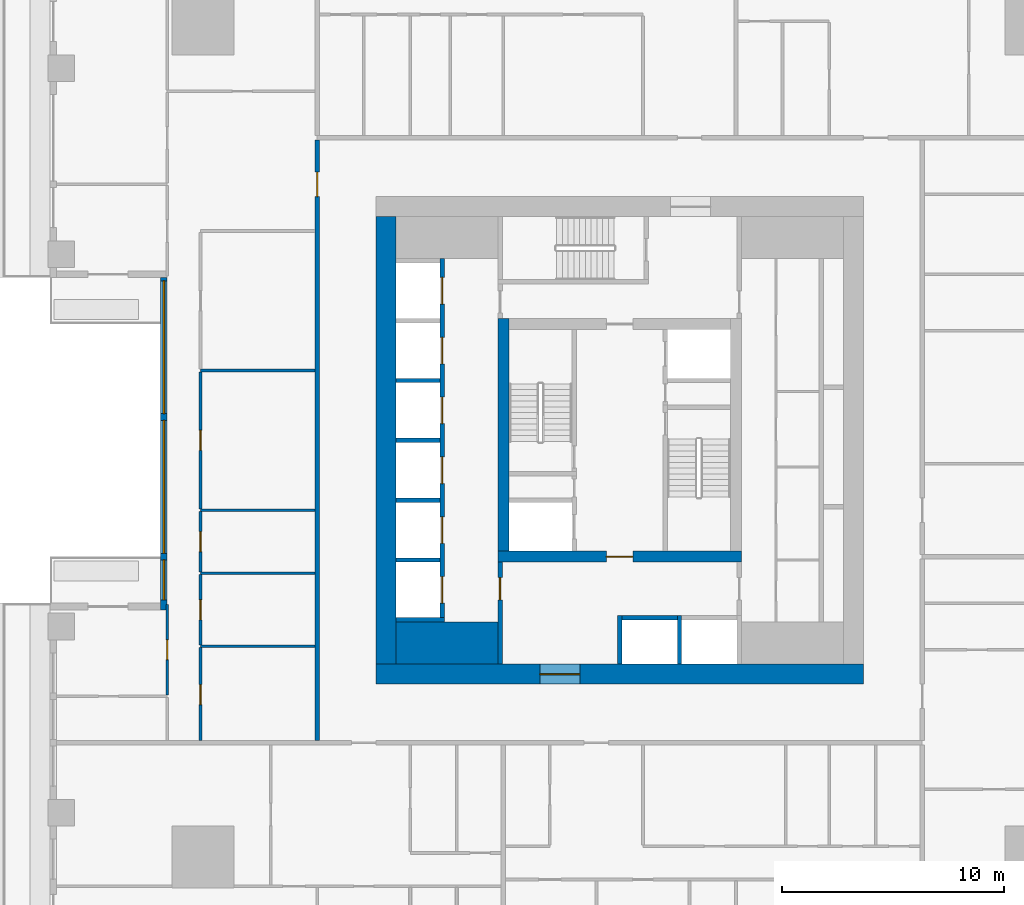
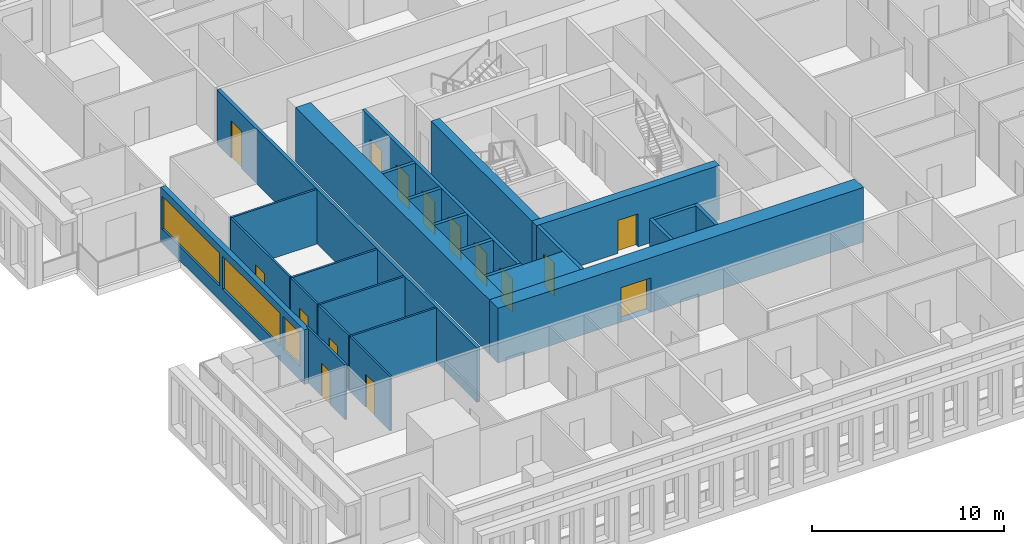
# One storey, part 3 of 15: 26 walls, 15 doors, 3 windows, 18 openings.
"""IFC4 building model written with IfcOpenShell, lengths in metres."""

import ifcopenshell
import ifcopenshell.guid

model = None  # the IFC model being written
_history = None  # IfcOwnerHistory: only IFC2X3 demands one
_inside = {}  # id of a spatial element -> (the spatial element, [elements in it])
_under = {}  # id of a project, library or spatial element -> (it, [spatial elements below it])
_declared = {}  # id of a project -> (the project, [libraries it declares])
_typed = {}  # id of a type object -> (the type object, [elements of that type])
_made_of = {}  # id of a material, layer set ... -> (it, [elements and type objects made of it])


def new_model(schema):
    """Start an empty IFC model of exactly this schema.

    Asked for "IFC4X3", IfcOpenShell would pick the latest addendum, in which some entities
    have other attributes; the version numbers below select the first issue.
    IFC2X3 requires an IfcOwnerHistory on every rooted entity: one is made here for all.
    """
    global model, _history
    if schema == "IFC4X3":
        model = ifcopenshell.file(schema_version=(4, 3, 0, 0))
    else:
        model = ifcopenshell.file(schema=schema)
    _inside.clear()
    _under.clear()
    _declared.clear()
    _typed.clear()
    _made_of.clear()
    _history = None
    if model.schema == "IFC2X3":
        org = make("IfcOrganization", Name="unknown")
        user = make(
            "IfcPersonAndOrganization",
            ThePerson=make("IfcPerson", FamilyName="unknown"),
            TheOrganization=org,
        )
        app = make(
            "IfcApplication",
            ApplicationDeveloper=org,
            Version="unknown",
            ApplicationFullName="unknown",
            ApplicationIdentifier="unknown",
        )
        _history = make(
            "IfcOwnerHistory",
            OwningUser=user,
            OwningApplication=app,
            ChangeAction="ADDED",
            CreationDate=0,
        )
    return model


def make(cls, **values):
    """One entity of the class cls with the attributes given. An attribute that is None is left unset."""
    return model.create_entity(
        cls, **{name: value for name, value in values.items() if value is not None}
    )


def rooted(cls, **values):
    """An entity with a GlobalId (a new one), such as an element, a storey or a relation."""
    return make(cls, GlobalId=ifcopenshell.guid.new(), OwnerHistory=_history, **values)


def si_unit(unit_type, name, prefix=None):
    """IfcSIUnit, for example si_unit("LENGTHUNIT", "METRE", prefix="MILLI")."""
    return make("IfcSIUnit", UnitType=unit_type, Prefix=prefix, Name=name)


def assignment(units):
    """IfcUnitAssignment: the units of a project."""
    return None if units is None else make("IfcUnitAssignment", Units=units)


def point(xyz):
    """IfcCartesianPoint."""
    return None if xyz is None else make("IfcCartesianPoint", Coordinates=xyz)


def direction(xyz):
    """IfcDirection."""
    return None if xyz is None else make("IfcDirection", DirectionRatios=xyz)


def frame(location, z_axis=None, x_axis=None):
    """IfcAxis2Placement3D, a coordinate frame: its origin and axes. An axis left out is left unset."""
    return make(
        "IfcAxis2Placement3D",
        Location=point(location),
        Axis=direction(z_axis),
        RefDirection=direction(x_axis),
    )


def frame_2d(location, x_axis=None):
    """IfcAxis2Placement2D, a coordinate frame in the plane: its origin and x axis."""
    return make(
        "IfcAxis2Placement2D", Location=point(location), RefDirection=direction(x_axis)
    )


def origin():
    """The frame at (0, 0, 0) with its axes left unset."""
    return frame((0.0, 0.0, 0.0))


def place(relative_to, where):
    """IfcLocalPlacement: puts the frame where relative to a parent placement (None: the world)."""
    return make(
        "IfcLocalPlacement", PlacementRelTo=relative_to, RelativePlacement=where
    )


def context(
    kind, dimensions, precision=None, world=None, true_north=None, identifier=None
):
    """IfcGeometricRepresentationContext, for example the 3D "Model" context."""
    return make(
        "IfcGeometricRepresentationContext",
        ContextIdentifier=identifier,
        ContextType=kind,
        CoordinateSpaceDimension=dimensions,
        Precision=precision,
        WorldCoordinateSystem=world,
        TrueNorth=true_north,
    )


def subcontext(parent, identifier, kind, view, scale=None):
    """IfcGeometricRepresentationSubContext, for example "Body" below "Model"."""
    return make(
        "IfcGeometricRepresentationSubContext",
        ContextIdentifier=identifier,
        ContextType=kind,
        ParentContext=parent,
        TargetScale=scale,
        TargetView=view,
    )


def project(units=None, contexts=None):
    """IfcProject with its units and contexts."""
    return rooted(
        "IfcProject",
        Name="project",
        RepresentationContexts=contexts,
        UnitsInContext=assignment(units),
    )


def spatial(cls, under=None, at=None, **own):
    """A site, building, storey or space (cls), placed at a placement, below another one or the project."""
    s = rooted(cls, ObjectPlacement=at, **own)
    if under is not None:
        _under.setdefault(under.id(), (under, []))[1].append(s)
    return s


def profile(cls, at=None, kind="AREA", **sizes):
    """A parametric profile (cls). Its sizes go by their IFC names, for example OverallWidth=200.0."""
    return make(cls, ProfileType=kind, Position=at, **sizes)


def rectangle(**sizes):
    """IfcRectangleProfileDef."""
    return profile("IfcRectangleProfileDef", **sizes)


def extrude(swept, where, along, depth):
    """IfcExtrudedAreaSolid: the profile swept, set in the frame where, extruded along a direction by depth."""
    return make(
        "IfcExtrudedAreaSolid",
        SweptArea=swept,
        Position=where,
        ExtrudedDirection=direction(along),
        Depth=depth,
    )


def shape(context_of_items, identifier, shape_type, items):
    """IfcShapeRepresentation: the items that make up one representation, for example the "Body"."""
    return make(
        "IfcShapeRepresentation",
        ContextOfItems=context_of_items,
        RepresentationIdentifier=identifier,
        RepresentationType=shape_type,
        Items=items,
    )


def material(Name=None, Category=None):
    """IfcMaterial."""
    return make("IfcMaterial", Name=Name, Category=Category)


def layer(
    of_material, thickness, ventilated=None, Name=None, Category=None, Priority=None
):
    """IfcMaterialLayer: one layer of a wall or slab, of a material (None: an air gap)."""
    return make(
        "IfcMaterialLayer",
        Material=of_material,
        LayerThickness=thickness,
        IsVentilated=ventilated,
        Name=Name,
        Category=Category,
        Priority=Priority,
    )


def layer_set(layers, Name=None):
    """IfcMaterialLayerSet."""
    return make("IfcMaterialLayerSet", MaterialLayers=layers, LayerSetName=Name)


def made_of(thing, what):
    """Note that an element or type object is made of a material, layer set ...; save() writes the relation."""
    if what is not None:
        _made_of.setdefault(what.id(), (what, []))[1].append(thing)
    return thing


def type_object(cls, material=None, **own):
    """A type object (cls), such as IfcWallType, which elements share."""
    return made_of(rooted(cls, **own), material)


def element(
    cls,
    number,
    at=None,
    inside=None,
    cuts=None,
    type_object=None,
    material=None,
    context=None,
    identifier="Body",
    shape_type=None,
    held_by="IfcProductDefinitionShape",
    body=None,
    shapes=None,
    **own,
):
    """One element of the class cls, such as IfcWall. Its Tag is "e" and its number.

    at: its placement. inside: the storey or other place that contains it. cuts: it is an
    opening in that element (IfcRelVoidsElement). A single representation is given by context,
    identifier, shape_type and body (its items); several are given by shapes. held_by: the class
    of the entity that holds the representations. save() writes the other relations.
    """
    e = rooted(cls, Tag="e%d" % number, ObjectPlacement=at, **own)
    if body is not None:
        shapes = [shape(context, identifier, shape_type, body)]
    if shapes is not None:
        e.Representation = make(held_by, Representations=shapes)
    if inside is not None:
        _inside.setdefault(inside.id(), (inside, []))[1].append(e)
    if cuts is not None:
        rooted(
            "IfcRelVoidsElement", RelatingBuildingElement=cuts, RelatedOpeningElement=e
        )
    if type_object is not None:
        _typed.setdefault(type_object.id(), (type_object, []))[1].append(e)
    return made_of(e, material)


def fill(opening, filler):
    """IfcRelFillsElement: the door or window that sits in an opening."""
    return rooted(
        "IfcRelFillsElement",
        RelatingOpeningElement=opening,
        RelatedBuildingElement=filler,
    )


def aggregate(whole, parts):
    """IfcRelAggregates: a whole, such as a stair, and the parts it consists of."""
    return rooted("IfcRelAggregates", RelatingObject=whole, RelatedObjects=parts)


def save(model, path):
    """Write the relations noted so far, then the file.

    IfcRelAggregates (storeys below a building ...), IfcRelContainedInSpatialStructure (elements
    in a storey), IfcRelDefinesByType, IfcRelAssociatesMaterial and IfcRelDeclares: one each for
    every whole, place, type object, material and project.
    """
    for whole, parts in _under.values():
        aggregate(whole, parts)
    for where, things in _inside.values():
        rooted(
            "IfcRelContainedInSpatialStructure",
            RelatedElements=things,
            RelatingStructure=where,
        )
    for kind, things in _typed.values():
        rooted("IfcRelDefinesByType", RelatedObjects=things, RelatingType=kind)
    for what, things in _made_of.values():
        rooted("IfcRelAssociatesMaterial", RelatedObjects=things, RelatingMaterial=what)
    for by, libraries in _declared.values():
        rooted("IfcRelDeclares", RelatingContext=by, RelatedDefinitions=libraries)
    model.write(path)


model = new_model("IFC4")

# Units and contexts
model_context = context("Model", 3, precision=1e-05, world=origin(), true_north=direction((0.0, 1.0)))
body_context = subcontext(model_context, "Body", "Model", "MODEL_VIEW")
ifc_project = project(units=[si_unit("LENGTHUNIT", "METRE"), si_unit("AREAUNIT", "SQUARE_METRE"), si_unit("VOLUMEUNIT", "CUBIC_METRE"), si_unit("PLANEANGLEUNIT", "RADIAN"), si_unit("MASSUNIT", "GRAM", prefix="KILO")], contexts=[model_context])

# Site, building, storey
site_placement = place(None, origin())
site = spatial("IfcSite", under=ifc_project, at=site_placement, CompositionType="ELEMENT")
building_placement = place(site_placement, origin())
building = spatial("IfcBuilding", under=site, at=building_placement, Name="Khepri Terraces", CompositionType="ELEMENT")
storey_placement = place(building_placement, frame((0.0, 0.0, 94.800048828125)))
storey = spatial("IfcBuildingStorey", under=building, at=storey_placement, Name="L22", CompositionType="ELEMENT", Elevation=94.800048828125)

# Walls
ifc_material_1 = material(Name="Concrete C70/85", Category="concrete")
ifc_layer_1 = layer(ifc_material_1, 1.89990234375, Name="Concrete C70/85", Category="concrete")
ifc_layer_set_1 = layer_set([ifc_layer_1], Name="Concrete C70/85")
wall_type_1 = type_object("IfcWallType", Name="Core wall 1900 C70/85", PredefinedType="SHEAR", material=ifc_layer_set_1)
wall_1_placement = place(storey_placement, frame((-10.10009765625, -9.14990234375, 0.0), z_axis=(0.0, 0.0, 1.0), x_axis=(1.0, 0.0, 0.0)))
element("IfcWall", 1, at=wall_1_placement, inside=storey, type_object=wall_type_1, Name="Core wall PR01 L22", PredefinedType="SHEAR", context=body_context, shape_type="SweptSolid", body=[
    extrude(rectangle(XDim=4.60009765625, YDim=1.89990234375, at=frame_2d((2.300048828125, 0.0))), origin(), (0.0, 0.0, 1.0), 3.47998046875),
])
ifc_layer_2 = layer(ifc_material_1, 0.199951171875, Name="Concrete C70/85", Category="concrete")
ifc_layer_set_2 = layer_set([ifc_layer_2], Name="Concrete C70/85")
wall_type_2 = type_object("IfcWallType", Name="Core wall 200 C70/85", PredefinedType="SHEAR", material=ifc_layer_set_2)
for number, where, z_axis, x_axis, name in (
    (2, (0.0, -10.10009765625, 0.0), (0.0, 0.0, 1.0), (0.0, 1.0, 0.0), "Core wall SH01 L22"),
    (3, (2.699951171875, -10.10009765625, 0.0), (0.0, 0.0, 1.0), (0.0, 1.0, 0.0), "Core wall SH02 L22"),
    (4, (-10.10009765625, -8.10009765625, 0.0), (0.0, 0.0, 1.0), (1.0, 0.0, 0.0), "Core wall SH04 L22"),
):
    element("IfcWall", number, at=place(storey_placement, frame(where, z_axis=z_axis, x_axis=x_axis)), inside=storey, type_object=wall_type_2, Name=name, PredefinedType="SHEAR", context=body_context, shape_type="SweptSolid", body=[
        extrude(rectangle(XDim=2.2001953125, YDim=0.199951171875, at=frame_2d((1.10009765625, 0.0))), origin(), (0.0, 0.0, 1.0), 3.47998046875),
    ])
wall_2_placement = place(storey_placement, frame((0.10009765625, -8.0, 0.0), z_axis=(0.0, 0.0, 1.0), x_axis=(1.0, 0.0, 0.0)))
element("IfcWall", 5, at=wall_2_placement, inside=storey, type_object=wall_type_2, Name="Core wall SH06 L22", PredefinedType="SHEAR", context=body_context, shape_type="SweptSolid", body=[
    extrude(rectangle(XDim=2.5, YDim=0.199951171875, at=frame_2d((1.25, 0.0))), origin(), (0.0, 0.0, 1.0), 3.47998046875),
])

# Wall, openings, doors
wall_3_placement = place(storey_placement, frame((-8.0, -8.0, 0.0), z_axis=(0.0, 0.0, 1.0), x_axis=(0.0, 1.0, 0.0)))
wall_3 = element("IfcWall", 6, at=wall_3_placement, inside=storey, type_object=wall_type_2, Name="Core wall SH08 L22", PredefinedType="SHEAR", context=body_context, shape_type="SweptSolid", body=[
    extrude(rectangle(XDim=16.199951171875, YDim=0.199951171875, at=frame_2d((8.10009765625, 0.0))), origin(), (0.0, 0.0, 1.0), 3.47998046875),
])
opening_1_placement = place(wall_3_placement, frame((0.64990234375, 0.0, 0.0)))
opening_1 = element("IfcOpeningElement", 7, at=opening_1_placement, cuts=wall_3, Name="Opening L22-C01", PredefinedType="OPENING", context=body_context, shape_type="SweptSolid", body=[
    extrude(rectangle(XDim=1.199951171875, YDim=2.10009765625, at=frame_2d((0.60009765625, 1.050048828125))), frame((0.0, 0.10986328125, 0.0), z_axis=(0.0, -1.0, 0.0), x_axis=(1.0, 0.0, 0.0)), (0.0, 0.0, 1.0), 0.219970703125),
])
opening_2_placement = place(wall_3_placement, frame((3.35009765625, 0.0, 0.0)))
opening_2 = element("IfcOpeningElement", 8, at=opening_2_placement, cuts=wall_3, Name="Opening L22-C02", PredefinedType="OPENING", context=body_context, shape_type="SweptSolid", body=[
    extrude(rectangle(XDim=1.199951171875, YDim=2.10009765625, at=frame_2d((0.60009765625, 1.050048828125))), frame((0.0, 0.10986328125, 0.0), z_axis=(0.0, -1.0, 0.0), x_axis=(1.0, 0.0, 0.0)), (0.0, 0.0, 1.0), 0.219970703125),
])
opening_3_placement = place(wall_3_placement, frame((6.050048828125, 0.0, 0.0)))
opening_3 = element("IfcOpeningElement", 9, at=opening_3_placement, cuts=wall_3, Name="Opening L22-C03", PredefinedType="OPENING", context=body_context, shape_type="SweptSolid", body=[
    extrude(rectangle(XDim=1.199951171875, YDim=2.10009765625, at=frame_2d((0.60009765625, 1.050048828125))), frame((0.0, 0.10986328125, 0.0), z_axis=(0.0, -1.0, 0.0), x_axis=(1.0, 0.0, 0.0)), (0.0, 0.0, 1.0), 0.219970703125),
])
opening_4_placement = place(wall_3_placement, frame((8.75, 0.0, 0.0)))
opening_4 = element("IfcOpeningElement", 10, at=opening_4_placement, cuts=wall_3, Name="Opening L22-C04", PredefinedType="OPENING", context=body_context, shape_type="SweptSolid", body=[
    extrude(rectangle(XDim=1.199951171875, YDim=2.10009765625, at=frame_2d((0.60009765625, 1.050048828125))), frame((0.0, 0.10986328125, 0.0), z_axis=(0.0, -1.0, 0.0), x_axis=(1.0, 0.0, 0.0)), (0.0, 0.0, 1.0), 0.219970703125),
])
opening_5_placement = place(wall_3_placement, frame((11.449951171875, 0.0, 0.0)))
opening_5 = element("IfcOpeningElement", 11, at=opening_5_placement, cuts=wall_3, Name="Opening L22-C05", PredefinedType="OPENING", context=body_context, shape_type="SweptSolid", body=[
    extrude(rectangle(XDim=1.199951171875, YDim=2.10009765625, at=frame_2d((0.60009765625, 1.050048828125))), frame((0.0, 0.10986328125, 0.0), z_axis=(0.0, -1.0, 0.0), x_axis=(1.0, 0.0, 0.0)), (0.0, 0.0, 1.0), 0.219970703125),
])
opening_6_placement = place(wall_3_placement, frame((14.14990234375, 0.0, 0.0)))
opening_6 = element("IfcOpeningElement", 12, at=opening_6_placement, cuts=wall_3, Name="Opening L22-C06", PredefinedType="OPENING", context=body_context, shape_type="SweptSolid", body=[
    extrude(rectangle(XDim=1.199951171875, YDim=2.10009765625, at=frame_2d((0.60009765625, 1.050048828125))), frame((0.0, 0.10986328125, 0.0), z_axis=(0.0, -1.0, 0.0), x_axis=(1.0, 0.0, 0.0)), (0.0, 0.0, 1.0), 0.219970703125),
])
ifc_material_2 = material(Name="Stainless steel 304", Category="steel")
door_type_1 = type_object("IfcDoorType", Name="DR-CORE-LANDING-1200", OperationType="NOTDEFINED", PredefinedType="DOOR", material=ifc_material_2)
door_1_placement = place(opening_1_placement, origin())
door_1 = element("IfcDoor", 13, at=door_1_placement, inside=storey, type_object=door_type_1, Name="Lift landing door L22-C01", OperationType="SLIDING_TO_LEFT", OverallHeight=2.10009765625, OverallWidth=1.199951171875, PredefinedType="DOOR", context=body_context, shape_type="SweptSolid", body=[
    extrude(rectangle(XDim=1.199951171875, YDim=2.10009765625, at=frame_2d((0.60009765625, 1.050048828125))), frame((0.0, 0.02490234375, 0.0), z_axis=(0.0, -1.0, 0.0), x_axis=(1.0, 0.0, 0.0)), (0.0, 0.0, 1.0), 0.050048828125),
])
fill(opening_1, door_1)
door_2_placement = place(opening_2_placement, origin())
door_2 = element("IfcDoor", 14, at=door_2_placement, inside=storey, type_object=door_type_1, Name="Lift landing door L22-C02", OperationType="SLIDING_TO_LEFT", OverallHeight=2.10009765625, OverallWidth=1.199951171875, PredefinedType="DOOR", context=body_context, shape_type="SweptSolid", body=[
    extrude(rectangle(XDim=1.199951171875, YDim=2.10009765625, at=frame_2d((0.60009765625, 1.050048828125))), frame((0.0, 0.02490234375, 0.0), z_axis=(0.0, -1.0, 0.0), x_axis=(1.0, 0.0, 0.0)), (0.0, 0.0, 1.0), 0.050048828125),
])
fill(opening_2, door_2)
door_3_placement = place(opening_3_placement, origin())
door_3 = element("IfcDoor", 15, at=door_3_placement, inside=storey, type_object=door_type_1, Name="Lift landing door L22-C03", OperationType="SLIDING_TO_LEFT", OverallHeight=2.10009765625, OverallWidth=1.199951171875, PredefinedType="DOOR", context=body_context, shape_type="SweptSolid", body=[
    extrude(rectangle(XDim=1.199951171875, YDim=2.10009765625, at=frame_2d((0.60009765625, 1.050048828125))), frame((0.0, 0.02490234375, 0.0), z_axis=(0.0, -1.0, 0.0), x_axis=(1.0, 0.0, 0.0)), (0.0, 0.0, 1.0), 0.050048828125),
])
fill(opening_3, door_3)
door_4_placement = place(opening_4_placement, origin())
door_4 = element("IfcDoor", 16, at=door_4_placement, inside=storey, type_object=door_type_1, Name="Lift landing door L22-C04", OperationType="SLIDING_TO_LEFT", OverallHeight=2.10009765625, OverallWidth=1.199951171875, PredefinedType="DOOR", context=body_context, shape_type="SweptSolid", body=[
    extrude(rectangle(XDim=1.199951171875, YDim=2.10009765625, at=frame_2d((0.60009765625, 1.050048828125))), frame((0.0, 0.02490234375, 0.0), z_axis=(0.0, -1.0, 0.0), x_axis=(1.0, 0.0, 0.0)), (0.0, 0.0, 1.0), 0.050048828125),
])
fill(opening_4, door_4)
door_5_placement = place(opening_5_placement, origin())
door_5 = element("IfcDoor", 17, at=door_5_placement, inside=storey, type_object=door_type_1, Name="Lift landing door L22-C05", OperationType="SLIDING_TO_LEFT", OverallHeight=2.10009765625, OverallWidth=1.199951171875, PredefinedType="DOOR", context=body_context, shape_type="SweptSolid", body=[
    extrude(rectangle(XDim=1.199951171875, YDim=2.10009765625, at=frame_2d((0.60009765625, 1.050048828125))), frame((0.0, 0.02490234375, 0.0), z_axis=(0.0, -1.0, 0.0), x_axis=(1.0, 0.0, 0.0)), (0.0, 0.0, 1.0), 0.050048828125),
])
fill(opening_5, door_5)
door_6_placement = place(opening_6_placement, origin())
door_6 = element("IfcDoor", 18, at=door_6_placement, inside=storey, type_object=door_type_1, Name="Lift landing door L22-C06", OperationType="SLIDING_TO_LEFT", OverallHeight=2.10009765625, OverallWidth=1.199951171875, PredefinedType="DOOR", context=body_context, shape_type="SweptSolid", body=[
    extrude(rectangle(XDim=1.199951171875, YDim=2.10009765625, at=frame_2d((0.60009765625, 1.050048828125))), frame((0.0, 0.02490234375, 0.0), z_axis=(0.0, -1.0, 0.0), x_axis=(1.0, 0.0, 0.0)), (0.0, 0.0, 1.0), 0.050048828125),
])
fill(opening_6, door_6)

# Walls
for number, where, z_axis, x_axis, name in (
    (19, (-10.10009765625, -5.39990234375, 0.0), (0.0, 0.0, 1.0), (1.0, 0.0, 0.0), "Core wall SH09 L22"),
    (20, (-10.10009765625, -2.699951171875, 0.0), (0.0, 0.0, 1.0), (1.0, 0.0, 0.0), "Core wall SH12 L22"),
    (21, (-10.10009765625, 0.0, 0.0), (0.0, 0.0, 1.0), (1.0, 0.0, 0.0), "Core wall SH14 L22"),
    (22, (-10.10009765625, 2.699951171875, 0.0), (0.0, 0.0, 1.0), (1.0, 0.0, 0.0), "Core wall SH17 L22"),
):
    element("IfcWall", number, at=place(storey_placement, frame(where, z_axis=z_axis, x_axis=x_axis)), inside=storey, type_object=wall_type_2, Name=name, PredefinedType="SHEAR", context=body_context, shape_type="SweptSolid", body=[
        extrude(rectangle(XDim=2.0, YDim=0.199951171875, at=frame_2d((1.0, 0.0))), origin(), (0.0, 0.0, 1.0), 3.47998046875),
    ])

# Wall, opening, door
ifc_layer_3 = layer(ifc_material_1, 0.5, Name="Concrete C70/85", Category="concrete")
ifc_layer_set_3 = layer_set([ifc_layer_3], Name="Concrete C70/85")
wall_type_3 = type_object("IfcWallType", Name="Core wall 500 C70/85", PredefinedType="SHEAR", material=ifc_layer_set_3)
wall_4_placement = place(storey_placement, frame((-5.5, -5.25, 0.0), z_axis=(0.0, 0.0, 1.0), x_axis=(1.0, 0.0, 0.0)))
wall_4 = element("IfcWall", 23, at=wall_4_placement, inside=storey, type_object=wall_type_3, Name="Core wall BX01 L22", PredefinedType="SHEAR", context=body_context, shape_type="SweptSolid", body=[
    extrude(rectangle(XDim=11.0, YDim=0.5, at=frame_2d((5.5, 0.0))), origin(), (0.0, 0.0, 1.0), 3.47998046875),
])
opening_7_placement = place(wall_4_placement, frame((4.89990234375, 0.0, 0.0)))
opening_7 = element("IfcOpeningElement", 24, at=opening_7_placement, cuts=wall_4, Name="Opening L22-C14", PredefinedType="OPENING", context=body_context, shape_type="SweptSolid", body=[
    extrude(rectangle(XDim=1.199951171875, YDim=2.10009765625, at=frame_2d((0.60009765625, 1.050048828125))), frame((0.0, 0.260009765625, 0.0), z_axis=(0.0, -1.0, 0.0), x_axis=(1.0, 0.0, 0.0)), (0.0, 0.0, 1.0), 0.52001953125),
])
ifc_material_3 = material(Name="Painted steel", Category="steel")
door_type_2 = type_object("IfcDoorType", Name="DR-CORE-FF-LOBBY-1200", OperationType="NOTDEFINED", PredefinedType="DOOR", material=ifc_material_3)
door_7_placement = place(opening_7_placement, origin())
door_7 = element("IfcDoor", 25, at=door_7_placement, inside=storey, type_object=door_type_2, Name="Firefighting lobby door L22-C14", OperationType="SINGLE_SWING_RIGHT", OverallHeight=2.10009765625, OverallWidth=1.199951171875, PredefinedType="DOOR", context=body_context, shape_type="SweptSolid", body=[
    extrude(rectangle(XDim=1.199951171875, YDim=2.10009765625, at=frame_2d((0.60009765625, 1.050048828125))), frame((0.0, 0.02490234375, 0.0), z_axis=(0.0, -1.0, 0.0), x_axis=(1.0, 0.0, 0.0)), (0.0, 0.0, 1.0), 0.050048828125),
])
fill(opening_7, door_7)

# Wall
wall_5_placement = place(storey_placement, frame((-5.25, -5.0, 0.0), z_axis=(0.0, 0.0, 1.0), x_axis=(0.0, 1.0, 0.0)))
element("IfcWall", 26, at=wall_5_placement, inside=storey, type_object=wall_type_3, Name="Core wall BX02 L22", PredefinedType="SHEAR", context=body_context, shape_type="SweptSolid", body=[
    extrude(rectangle(XDim=10.5, YDim=0.5, at=frame_2d((5.25, 0.0))), origin(), (0.0, 0.0, 1.0), 3.47998046875),
])

# Wall, opening, door
ifc_layer_4 = layer(ifc_material_1, 0.89990234375, Name="Concrete C70/85", Category="concrete")
ifc_layer_set_4 = layer_set([ifc_layer_4], Name="Concrete C70/85")
wall_type_4 = type_object("IfcWallType", Name="Core wall 900 C70/85", PredefinedType="SHEAR", material=ifc_layer_set_4)
wall_6_placement = place(storey_placement, frame((-11.0, -10.550048828125, 0.0), z_axis=(0.0, 0.0, 1.0), x_axis=(1.0, 0.0, 0.0)))
wall_6 = element("IfcWall", 27, at=wall_6_placement, inside=storey, type_object=wall_type_4, Name="Core wall OW-S L22", PredefinedType="SHEAR", context=body_context, shape_type="SweptSolid", body=[
    extrude(rectangle(XDim=22.0, YDim=0.89990234375, at=frame_2d((11.0, 0.0))), origin(), (0.0, 0.0, 1.0), 3.47998046875),
])
opening_8_placement = place(wall_6_placement, frame((7.39990234375, 0.0, 0.0)))
opening_8 = element("IfcOpeningElement", 28, at=opening_8_placement, cuts=wall_6, Name="Opening L22-C21", PredefinedType="OPENING", context=body_context, shape_type="SweptSolid", body=[
    extrude(rectangle(XDim=1.800048828125, YDim=2.199951171875, at=frame_2d((0.89990234375, 1.10009765625))), frame((0.0, 0.4599609375, 0.0), z_axis=(0.0, -1.0, 0.0), x_axis=(1.0, 0.0, 0.0)), (0.0, 0.0, 1.0), 0.919921875),
])
door_type_3 = type_object("IfcDoorType", Name="DR-CORE-ENTRANCE-1800", OperationType="NOTDEFINED", PredefinedType="DOOR", material=ifc_material_3)
door_8_placement = place(opening_8_placement, frame((1.800048828125, 0.0, 0.0), z_axis=(0.0, 0.0, 1.0), x_axis=(-1.0, 0.0, 0.0)))
door_8 = element("IfcDoor", 29, at=door_8_placement, inside=storey, type_object=door_type_3, Name="Core entrance door pair L22-C21", OperationType="DOUBLE_DOOR_SINGLE_SWING", OverallHeight=2.199951171875, OverallWidth=1.800048828125, PredefinedType="DOOR", context=body_context, shape_type="SweptSolid", body=[
    extrude(rectangle(XDim=1.800048828125, YDim=2.199951171875, at=frame_2d((0.89990234375, 1.10009765625))), frame((0.0, 0.02490234375, 0.0), z_axis=(0.0, -1.0, 0.0), x_axis=(1.0, 0.0, 0.0)), (0.0, 0.0, 1.0), 0.050048828125),
])
fill(opening_8, door_8)

# Wall
wall_7_placement = place(storey_placement, frame((-10.550048828125, -10.10009765625, 0.0), z_axis=(0.0, 0.0, 1.0), x_axis=(0.0, 1.0, 0.0)))
element("IfcWall", 30, at=wall_7_placement, inside=storey, type_object=wall_type_4, Name="Core wall OW-W L22", PredefinedType="SHEAR", context=body_context, shape_type="SweptSolid", body=[
    extrude(rectangle(XDim=20.2001953125, YDim=0.89990234375, at=frame_2d((10.10009765625, 0.0))), origin(), (0.0, 0.0, 1.0), 3.47998046875),
])

# Wall, opening, door
ifc_material_4 = material(Name="Fire-rated gypsum board partition")
ifc_layer_5 = layer(ifc_material_4, 0.199951171875, Name="Fire-rated gypsum board partition")
ifc_layer_set_5 = layer_set([ifc_layer_5], Name="Fire-rated gypsum board partition")
wall_type_5 = type_object("IfcWallType", Name="WL-CORE-PART-200", PredefinedType="PARTITIONING", material=ifc_layer_set_5)
wall_8_placement = place(storey_placement, frame((-5.39990234375, -10.10009765625, 0.0), z_axis=(0.0, 0.0, 1.0), x_axis=(0.0, 1.0, 0.0)))
wall_8 = element("IfcWall", 31, at=wall_8_placement, inside=storey, type_object=wall_type_5, Name="Core partition PT01 L22", PredefinedType="PARTITIONING", context=body_context, shape_type="SweptSolid", body=[
    extrude(rectangle(XDim=4.60009765625, YDim=0.199951171875, at=frame_2d((2.300048828125, 0.0))), origin(), (0.0, 0.0, 1.0), 3.47998046875),
])
opening_9_placement = place(wall_8_placement, frame((2.89990234375, 0.0, 0.0)))
opening_9 = element("IfcOpeningElement", 32, at=opening_9_placement, cuts=wall_8, Name="Opening L22-C18", PredefinedType="OPENING", context=body_context, shape_type="SweptSolid", body=[
    extrude(rectangle(XDim=1.0, YDim=2.10009765625, at=frame_2d((0.5, 1.050048828125))), frame((0.0, 0.10986328125, 0.0), z_axis=(0.0, -1.0, 0.0), x_axis=(1.0, 0.0, 0.0)), (0.0, 0.0, 1.0), 0.219970703125),
])
door_type_4 = type_object("IfcDoorType", Name="DR-CORE-LOBBY-1000", OperationType="NOTDEFINED", PredefinedType="DOOR", material=ifc_material_3)
door_9_placement = place(opening_9_placement, frame((1.0, 0.0, 0.0), z_axis=(0.0, 0.0, 1.0), x_axis=(-1.0, 0.0, 0.0)))
door_9 = element("IfcDoor", 33, at=door_9_placement, inside=storey, type_object=door_type_4, Name="Lobby door L22-C18", OperationType="SINGLE_SWING_LEFT", OverallHeight=2.10009765625, OverallWidth=1.0, PredefinedType="DOOR", context=body_context, shape_type="SweptSolid", body=[
    extrude(rectangle(XDim=1.0, YDim=2.10009765625, at=frame_2d((0.5, 1.050048828125))), frame((0.0, 0.02490234375, 0.0), z_axis=(0.0, -1.0, 0.0), x_axis=(1.0, 0.0, 0.0)), (0.0, 0.0, 1.0), 0.050048828125),
])
fill(opening_9, door_9)

ifc_material_5 = material(Name="Fire-rated gypsum plasterboard partition, mineral wool")
ifc_layer_6 = layer(ifc_material_5, 0.199951171875, Name="Fire-rated gypsum plasterboard partition, mineral wool")
ifc_layer_set_6 = layer_set([ifc_layer_6], Name="Fire-rated gypsum plasterboard partition, mineral wool")
wall_type_6 = type_object("IfcWallType", Name="WL-CORR-200", PredefinedType="PARTITIONING", material=ifc_layer_set_6)
wall_9_placement = place(storey_placement, frame((-13.64990234375, -13.550048828125, 0.0), z_axis=(0.0, 0.0, 1.0), x_axis=(0.0, 1.0, 0.0)))
wall_9 = element("IfcWall", 34, at=wall_9_placement, inside=storey, type_object=wall_type_6, Name="Partition P-034 L22", PredefinedType="PARTITIONING", context=body_context, shape_type="SweptSolid", body=[
    extrude(rectangle(XDim=27.10009765625, YDim=0.199951171875, at=frame_2d((13.550048828125, 0.0))), origin(), (0.0, 0.0, 1.0), 3.47998046875),
])
opening_10_placement = place(wall_9_placement, frame((24.550048828125, 0.0, 0.0)))
opening_10 = element("IfcOpeningElement", 35, at=opening_10_placement, cuts=wall_9, Name="Opening D1", PredefinedType="OPENING", context=body_context, shape_type="SweptSolid", body=[
    extrude(rectangle(XDim=1.10009765625, YDim=2.39990234375, at=frame_2d((0.550048828125, 1.199951171875))), frame((0.0, 0.10986328125, 0.0), z_axis=(0.0, -1.0, 0.0), x_axis=(1.0, 0.0, 0.0)), (0.0, 0.0, 1.0), 0.219970703125),
])
ifc_material_6 = material(Name="Solid-core timber door leaf, flat entrance door", Category="wood")
door_type_5 = type_object("IfcDoorType", Name="DR-ENT-1100", OperationType="NOTDEFINED", PredefinedType="DOOR", material=ifc_material_6)
door_10_placement = place(opening_10_placement, origin())
door_10 = element("IfcDoor", 36, at=door_10_placement, inside=storey, type_object=door_type_5, Name="Flat D1 entrance door", OperationType="SINGLE_SWING_RIGHT", OverallHeight=2.39990234375, OverallWidth=1.10009765625, PredefinedType="DOOR", context=body_context, shape_type="SweptSolid", body=[
    extrude(rectangle(XDim=1.10009765625, YDim=2.39990234375, at=frame_2d((0.550048828125, 1.199951171875))), frame((0.0, 0.02490234375, 0.0), z_axis=(0.0, -1.0, 0.0), x_axis=(1.0, 0.0, 0.0)), (0.0, 0.0, 1.0), 0.050048828125),
])
fill(opening_10, door_10)

# Wall, openings, windows
ifc_material_7 = material(Name="Precast concrete C50/60 warm stone", Category="masonry")
ifc_layer_7 = layer(ifc_material_7, 0.300048828125, Name="Precast concrete C50/60 warm stone", Category="masonry")
ifc_layer_set_7 = layer_set([ifc_layer_7], Name="Precast concrete C50/60 warm stone")
wall_type_7 = type_object("IfcWallType", Name="WL-EXT-PRECAST-300", PredefinedType="STANDARD", material=ifc_layer_set_7)
wall_10_placement = place(storey_placement, frame((-20.570068359375, 7.35009765625, 0.0), z_axis=(0.0, 0.0, 1.0), x_axis=(0.0, -1.0, 0.0)))
wall_10 = element("IfcWall", 37, at=wall_10_placement, inside=storey, type_object=wall_type_7, Name="External wall L22 W", PredefinedType="STANDARD", context=body_context, shape_type="SweptSolid", body=[
    extrude(rectangle(XDim=15.0, YDim=0.300048828125, at=frame_2d((7.5, 0.0))), origin(), (0.0, 0.0, 1.0), 3.47998046875),
])
opening_11_placement = place(wall_10_placement, frame((0.14990234375, 0.0, 0.89990234375)))
opening_11 = element("IfcOpeningElement", 38, at=opening_11_placement, cuts=wall_10, Name="Opening W3", PredefinedType="OPENING", context=body_context, shape_type="SweptSolid", body=[
    extrude(rectangle(XDim=6.0, YDim=2.10009765625, at=frame_2d((3.0, 1.050048828125))), frame((0.0, 0.16015625, 0.0), z_axis=(0.0, -1.0, 0.0), x_axis=(1.0, 0.0, 0.0)), (0.0, 0.0, 1.0), 0.320068359375),
])
opening_12_placement = place(wall_10_placement, frame((6.449951171875, 0.0, 0.89990234375)))
opening_12 = element("IfcOpeningElement", 39, at=opening_12_placement, cuts=wall_10, Name="Opening W3", PredefinedType="OPENING", context=body_context, shape_type="SweptSolid", body=[
    extrude(rectangle(XDim=6.0, YDim=2.10009765625, at=frame_2d((3.0, 1.050048828125))), frame((0.0, 0.16015625, 0.0), z_axis=(0.0, -1.0, 0.0), x_axis=(1.0, 0.0, 0.0)), (0.0, 0.0, 1.0), 0.320068359375),
])
opening_13_placement = place(wall_10_placement, frame((12.75, 0.0, 0.89990234375)))
opening_13 = element("IfcOpeningElement", 40, at=opening_13_placement, cuts=wall_10, Name="Opening W1", PredefinedType="OPENING", context=body_context, shape_type="SweptSolid", body=[
    extrude(rectangle(XDim=1.800048828125, YDim=2.10009765625, at=frame_2d((0.89990234375, 1.050048828125))), frame((0.0, 0.16015625, 0.0), z_axis=(0.0, -1.0, 0.0), x_axis=(1.0, 0.0, 0.0)), (0.0, 0.0, 1.0), 0.320068359375),
])
ifc_material_8 = material(Name="Clear glass", Category="glass")
window_type_1 = type_object("IfcWindowType", Name="WIN-RES-1800x2100", PartitioningType="SINGLE_PANEL", PredefinedType="WINDOW", material=ifc_material_8)
window_1_placement = place(opening_13_placement, origin())
window_1 = element("IfcWindow", 41, at=window_1_placement, inside=storey, type_object=window_type_1, Name="Window L22 W", OverallHeight=2.10009765625, OverallWidth=1.800048828125, PartitioningType="SINGLE_PANEL", PredefinedType="WINDOW", context=body_context, shape_type="SweptSolid", body=[
    extrude(rectangle(XDim=1.800048828125, YDim=2.10009765625, at=frame_2d((0.89990234375, 1.050048828125))), frame((0.0, 0.030029296875, 0.0), z_axis=(0.0, -1.0, 0.0), x_axis=(1.0, 0.0, 0.0)), (0.0, 0.0, 1.0), 0.06005859375),
])
fill(opening_13, window_1)
window_type_2 = type_object("IfcWindowType", Name="WIN-RES-6000x2100", PartitioningType="SINGLE_PANEL", PredefinedType="WINDOW", material=ifc_material_8)
window_2_placement = place(opening_11_placement, origin())
window_2 = element("IfcWindow", 42, at=window_2_placement, inside=storey, type_object=window_type_2, Name="Window L22 W", OverallHeight=2.10009765625, OverallWidth=6.0, PartitioningType="SINGLE_PANEL", PredefinedType="WINDOW", context=body_context, shape_type="SweptSolid", body=[
    extrude(rectangle(XDim=6.0, YDim=2.10009765625, at=frame_2d((3.0, 1.050048828125))), frame((0.0, 0.030029296875, 0.0), z_axis=(0.0, -1.0, 0.0), x_axis=(1.0, 0.0, 0.0)), (0.0, 0.0, 1.0), 0.06005859375),
])
fill(opening_11, window_2)
window_3_placement = place(opening_12_placement, origin())
window_3 = element("IfcWindow", 43, at=window_3_placement, inside=storey, type_object=window_type_2, Name="Window L22 W", OverallHeight=2.10009765625, OverallWidth=6.0, PartitioningType="SINGLE_PANEL", PredefinedType="WINDOW", context=body_context, shape_type="SweptSolid", body=[
    extrude(rectangle(XDim=6.0, YDim=2.10009765625, at=frame_2d((3.0, 1.050048828125))), frame((0.0, 0.030029296875, 0.0), z_axis=(0.0, -1.0, 0.0), x_axis=(1.0, 0.0, 0.0)), (0.0, 0.0, 1.0), 0.06005859375),
])
fill(opening_12, window_3)

# Wall, opening, door
ifc_material_9 = material(Name="Gypsum plasterboard partition")
ifc_layer_8 = layer(ifc_material_9, 0.1201171875, Name="Gypsum plasterboard partition")
ifc_layer_set_8 = layer_set([ifc_layer_8], Name="Gypsum plasterboard partition")
wall_type_8 = type_object("IfcWallType", Name="WL-PART-120", PredefinedType="PARTITIONING", material=ifc_layer_set_8)
wall_11_placement = place(storey_placement, frame((-18.919921875, -13.550048828125, 0.0), z_axis=(0.0, 0.0, 1.0), x_axis=(0.0, 1.0, 0.0)))
wall_11 = element("IfcWall", 44, at=wall_11_placement, inside=storey, type_object=wall_type_8, Name="Partition P-033 L22", PredefinedType="PARTITIONING", context=body_context, shape_type="SweptSolid", body=[
    extrude(rectangle(XDim=4.18994140625, YDim=0.1201171875, at=frame_2d((2.094970703125, 0.0))), origin(), (0.0, 0.0, 1.0), 3.47998046875),
])
opening_14_placement = place(wall_11_placement, frame((1.625, 0.0, 0.0)))
opening_14 = element("IfcOpeningElement", 45, at=opening_14_placement, cuts=wall_11, Name="Opening D3", PredefinedType="OPENING", context=body_context, shape_type="SweptSolid", body=[
    extrude(rectangle(XDim=0.89990234375, YDim=2.10009765625, at=frame_2d((0.449951171875, 1.050048828125))), frame((0.0, 0.070068359375, 0.0), z_axis=(0.0, -1.0, 0.0), x_axis=(1.0, 0.0, 0.0)), (0.0, 0.0, 1.0), 0.14013671875),
])
ifc_material_10 = material(Name="Timber door leaf", Category="wood")
door_type_6 = type_object("IfcDoorType", Name="DR-INT-900", OperationType="NOTDEFINED", PredefinedType="DOOR", material=ifc_material_10)
door_11_placement = place(opening_14_placement, frame((0.89990234375, 0.0, 0.0), z_axis=(0.0, 0.0, 1.0), x_axis=(-1.0, 0.0, 0.0)))
door_11 = element("IfcDoor", 46, at=door_11_placement, inside=storey, type_object=door_type_6, Name="Door Library", OperationType="SINGLE_SWING_RIGHT", OverallHeight=2.10009765625, OverallWidth=0.89990234375, PredefinedType="DOOR", context=body_context, shape_type="SweptSolid", body=[
    extrude(rectangle(XDim=0.89990234375, YDim=2.10009765625, at=frame_2d((0.449951171875, 1.050048828125))), frame((0.0, 0.02490234375, 0.0), z_axis=(0.0, -1.0, 0.0), x_axis=(1.0, 0.0, 0.0)), (0.0, 0.0, 1.0), 0.050048828125),
])
fill(opening_14, door_11)

wall_12_placement = place(storey_placement, frame((-20.419921875, -11.489990234375, 0.0), z_axis=(0.0, 0.0, 1.0), x_axis=(0.0, 1.0, 0.0)))
wall_12 = element("IfcWall", 47, at=wall_12_placement, inside=storey, type_object=wall_type_8, Name="Partition P-037 L22", PredefinedType="PARTITIONING", context=body_context, shape_type="SweptSolid", body=[
    extrude(rectangle(XDim=4.080078125, YDim=0.1201171875, at=frame_2d((2.0400390625, 0.0))), origin(), (0.0, 0.0, 1.0), 3.47998046875),
])
opening_15_placement = place(wall_12_placement, frame((1.590087890625, 0.0, 0.0)))
opening_15 = element("IfcOpeningElement", 48, at=opening_15_placement, cuts=wall_12, Name="Opening D3", PredefinedType="OPENING", context=body_context, shape_type="SweptSolid", body=[
    extrude(rectangle(XDim=0.89990234375, YDim=2.10009765625, at=frame_2d((0.449951171875, 1.050048828125))), frame((0.0, 0.070068359375, 0.0), z_axis=(0.0, -1.0, 0.0), x_axis=(1.0, 0.0, 0.0)), (0.0, 0.0, 1.0), 0.14013671875),
])
door_12_placement = place(opening_15_placement, origin())
door_12 = element("IfcDoor", 49, at=door_12_placement, inside=storey, type_object=door_type_6, Name="Door Bedroom", OperationType="SINGLE_SWING_RIGHT", OverallHeight=2.10009765625, OverallWidth=0.89990234375, PredefinedType="DOOR", context=body_context, shape_type="SweptSolid", body=[
    extrude(rectangle(XDim=0.89990234375, YDim=2.10009765625, at=frame_2d((0.449951171875, 1.050048828125))), frame((0.0, 0.02490234375, 0.0), z_axis=(0.0, -1.0, 0.0), x_axis=(1.0, 0.0, 0.0)), (0.0, 0.0, 1.0), 0.050048828125),
])
fill(opening_15, door_12)

# Wall
wall_13_placement = place(storey_placement, frame((-18.919921875, -9.300048828125, 0.0), z_axis=(0.0, 0.0, 1.0), x_axis=(1.0, 0.0, 0.0)))
element("IfcWall", 50, at=wall_13_placement, inside=storey, type_object=wall_type_8, Name="Partition P-042 L22", PredefinedType="PARTITIONING", context=body_context, shape_type="SweptSolid", body=[
    extrude(rectangle(XDim=5.169921875, YDim=0.1201171875, at=frame_2d((2.5849609375, 0.0))), origin(), (0.0, 0.0, 1.0), 3.47998046875),
])

# Wall, opening, door
wall_14_placement = place(storey_placement, frame((-18.919921875, -9.239990234375, 0.0), z_axis=(0.0, 0.0, 1.0), x_axis=(0.0, 1.0, 0.0)))
wall_14 = element("IfcWall", 51, at=wall_14_placement, inside=storey, type_object=wall_type_8, Name="Partition P-043 L22", PredefinedType="PARTITIONING", context=body_context, shape_type="SweptSolid", body=[
    extrude(rectangle(XDim=3.179931640625, YDim=0.1201171875, at=frame_2d((1.58984375, 0.0))), origin(), (0.0, 0.0, 1.0), 3.47998046875),
])
opening_16_placement = place(wall_14_placement, frame((1.139892578125, 0.0, 0.0)))
opening_16 = element("IfcOpeningElement", 52, at=opening_16_placement, cuts=wall_14, Name="Opening D4", PredefinedType="OPENING", context=body_context, shape_type="SweptSolid", body=[
    extrude(rectangle(XDim=0.89990234375, YDim=2.10009765625, at=frame_2d((0.449951171875, 1.050048828125))), frame((0.0, 0.070068359375, 0.0), z_axis=(0.0, -1.0, 0.0), x_axis=(1.0, 0.0, 0.0)), (0.0, 0.0, 1.0), 0.14013671875),
])
ifc_material_11 = material(Name="Timber door leaf, moisture resistant", Category="wood")
door_type_7 = type_object("IfcDoorType", Name="DR-WET-900", OperationType="NOTDEFINED", PredefinedType="DOOR", material=ifc_material_11)
door_13_placement = place(opening_16_placement, frame((0.89990234375, 0.0, 0.0), z_axis=(0.0, 0.0, 1.0), x_axis=(-1.0, 0.0, 0.0)))
door_13 = element("IfcDoor", 53, at=door_13_placement, inside=storey, type_object=door_type_7, Name="Door Guest Bathroom", OperationType="SINGLE_SWING_RIGHT", OverallHeight=2.10009765625, OverallWidth=0.89990234375, PredefinedType="DOOR", context=body_context, shape_type="SweptSolid", body=[
    extrude(rectangle(XDim=0.89990234375, YDim=2.10009765625, at=frame_2d((0.449951171875, 1.050048828125))), frame((0.0, 0.02490234375, 0.0), z_axis=(0.0, -1.0, 0.0), x_axis=(1.0, 0.0, 0.0)), (0.0, 0.0, 1.0), 0.050048828125),
])
fill(opening_16, door_13)

# Wall
wall_15_placement = place(storey_placement, frame((-18.919921875, -6.0, 0.0), z_axis=(0.0, 0.0, 1.0), x_axis=(1.0, 0.0, 0.0)))
element("IfcWall", 54, at=wall_15_placement, inside=storey, type_object=wall_type_8, Name="Partition P-049 L22", PredefinedType="PARTITIONING", context=body_context, shape_type="SweptSolid", body=[
    extrude(rectangle(XDim=5.169921875, YDim=0.1201171875, at=frame_2d((2.5849609375, 0.0))), origin(), (0.0, 0.0, 1.0), 3.47998046875),
])

# Wall, opening, door
wall_16_placement = place(storey_placement, frame((-18.919921875, -5.93994140625, 0.0), z_axis=(0.0, 0.0, 1.0), x_axis=(0.0, 1.0, 0.0)))
wall_16 = element("IfcWall", 55, at=wall_16_placement, inside=storey, type_object=wall_type_8, Name="Partition P-050 L22", PredefinedType="PARTITIONING", context=body_context, shape_type="SweptSolid", body=[
    extrude(rectangle(XDim=2.72998046875, YDim=0.1201171875, at=frame_2d((1.364990234375, 0.0))), origin(), (0.0, 0.0, 1.0), 3.47998046875),
])
opening_17_placement = place(wall_16_placement, frame((0.9150390625, 0.0, 0.0)))
opening_17 = element("IfcOpeningElement", 56, at=opening_17_placement, cuts=wall_16, Name="Opening D4", PredefinedType="OPENING", context=body_context, shape_type="SweptSolid", body=[
    extrude(rectangle(XDim=0.89990234375, YDim=2.10009765625, at=frame_2d((0.449951171875, 1.050048828125))), frame((0.0, 0.070068359375, 0.0), z_axis=(0.0, -1.0, 0.0), x_axis=(1.0, 0.0, 0.0)), (0.0, 0.0, 1.0), 0.14013671875),
])
door_14_placement = place(opening_17_placement, frame((0.89990234375, 0.0, 0.0), z_axis=(0.0, 0.0, 1.0), x_axis=(-1.0, 0.0, 0.0)))
door_14 = element("IfcDoor", 57, at=door_14_placement, inside=storey, type_object=door_type_7, Name="Door Powder Room", OperationType="SINGLE_SWING_LEFT", OverallHeight=2.10009765625, OverallWidth=0.89990234375, PredefinedType="DOOR", context=body_context, shape_type="SweptSolid", body=[
    extrude(rectangle(XDim=0.89990234375, YDim=2.10009765625, at=frame_2d((0.449951171875, 1.050048828125))), frame((0.0, 0.02490234375, 0.0), z_axis=(0.0, -1.0, 0.0), x_axis=(1.0, 0.0, 0.0)), (0.0, 0.0, 1.0), 0.050048828125),
])
fill(opening_17, door_14)

# Wall
wall_17_placement = place(storey_placement, frame((-18.919921875, -3.14990234375, 0.0), z_axis=(0.0, 0.0, 1.0), x_axis=(1.0, 0.0, 0.0)))
element("IfcWall", 58, at=wall_17_placement, inside=storey, type_object=wall_type_8, Name="Partition P-054 L22", PredefinedType="PARTITIONING", context=body_context, shape_type="SweptSolid", body=[
    extrude(rectangle(XDim=5.169921875, YDim=0.1201171875, at=frame_2d((2.5849609375, 0.0))), origin(), (0.0, 0.0, 1.0), 3.47998046875),
])

# Wall, opening, door
wall_18_placement = place(storey_placement, frame((-18.919921875, -3.090087890625, 0.0), z_axis=(0.0, 0.0, 1.0), x_axis=(0.0, 1.0, 0.0)))
wall_18 = element("IfcWall", 59, at=wall_18_placement, inside=storey, type_object=wall_type_8, Name="Partition P-055 L22", PredefinedType="PARTITIONING", context=body_context, shape_type="SweptSolid", body=[
    extrude(rectangle(XDim=6.18017578125, YDim=0.1201171875, at=frame_2d((3.090087890625, 0.0))), origin(), (0.0, 0.0, 1.0), 3.47998046875),
])
opening_18_placement = place(wall_18_placement, frame((2.639892578125, 0.0, 0.0)))
opening_18 = element("IfcOpeningElement", 60, at=opening_18_placement, cuts=wall_18, Name="Opening D3", PredefinedType="OPENING", context=body_context, shape_type="SweptSolid", body=[
    extrude(rectangle(XDim=0.89990234375, YDim=2.10009765625, at=frame_2d((0.449951171875, 1.050048828125))), frame((0.0, 0.070068359375, 0.0), z_axis=(0.0, -1.0, 0.0), x_axis=(1.0, 0.0, 0.0)), (0.0, 0.0, 1.0), 0.14013671875),
])
door_15_placement = place(opening_18_placement, frame((0.89990234375, 0.0, 0.0), z_axis=(0.0, 0.0, 1.0), x_axis=(-1.0, 0.0, 0.0)))
door_15 = element("IfcDoor", 61, at=door_15_placement, inside=storey, type_object=door_type_6, Name="Door Staff Bedroom", OperationType="SINGLE_SWING_LEFT", OverallHeight=2.10009765625, OverallWidth=0.89990234375, PredefinedType="DOOR", context=body_context, shape_type="SweptSolid", body=[
    extrude(rectangle(XDim=0.89990234375, YDim=2.10009765625, at=frame_2d((0.449951171875, 1.050048828125))), frame((0.0, 0.02490234375, 0.0), z_axis=(0.0, -1.0, 0.0), x_axis=(1.0, 0.0, 0.0)), (0.0, 0.0, 1.0), 0.050048828125),
])
fill(opening_18, door_15)

# Wall
wall_19_placement = place(storey_placement, frame((-18.919921875, 3.14990234375, 0.0), z_axis=(0.0, 0.0, 1.0), x_axis=(1.0, 0.0, 0.0)))
element("IfcWall", 62, at=wall_19_placement, inside=storey, type_object=wall_type_8, Name="Partition P-060 L22", PredefinedType="PARTITIONING", context=body_context, shape_type="SweptSolid", body=[
    extrude(rectangle(XDim=5.169921875, YDim=0.1201171875, at=frame_2d((2.5849609375, 0.0))), origin(), (0.0, 0.0, 1.0), 3.47998046875),
])

save(model, "model.ifc")
